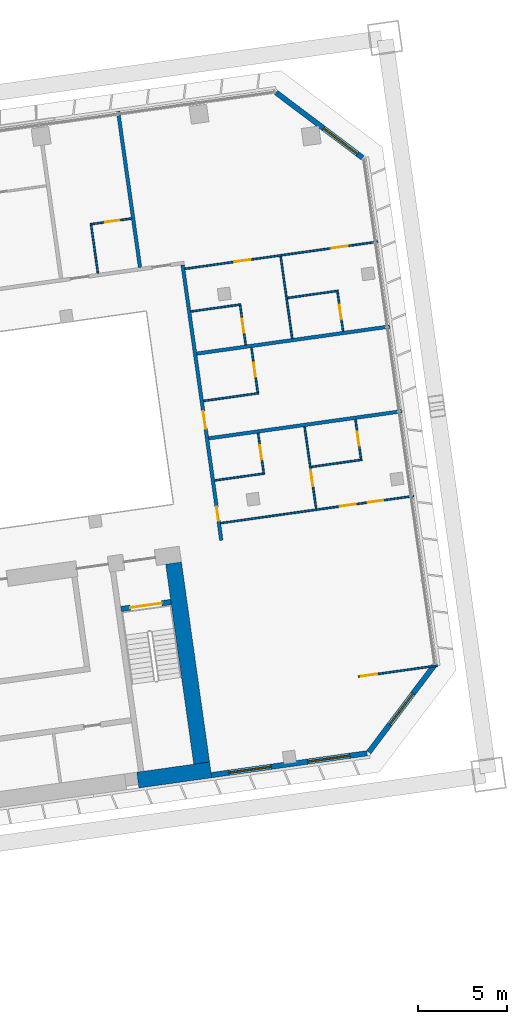
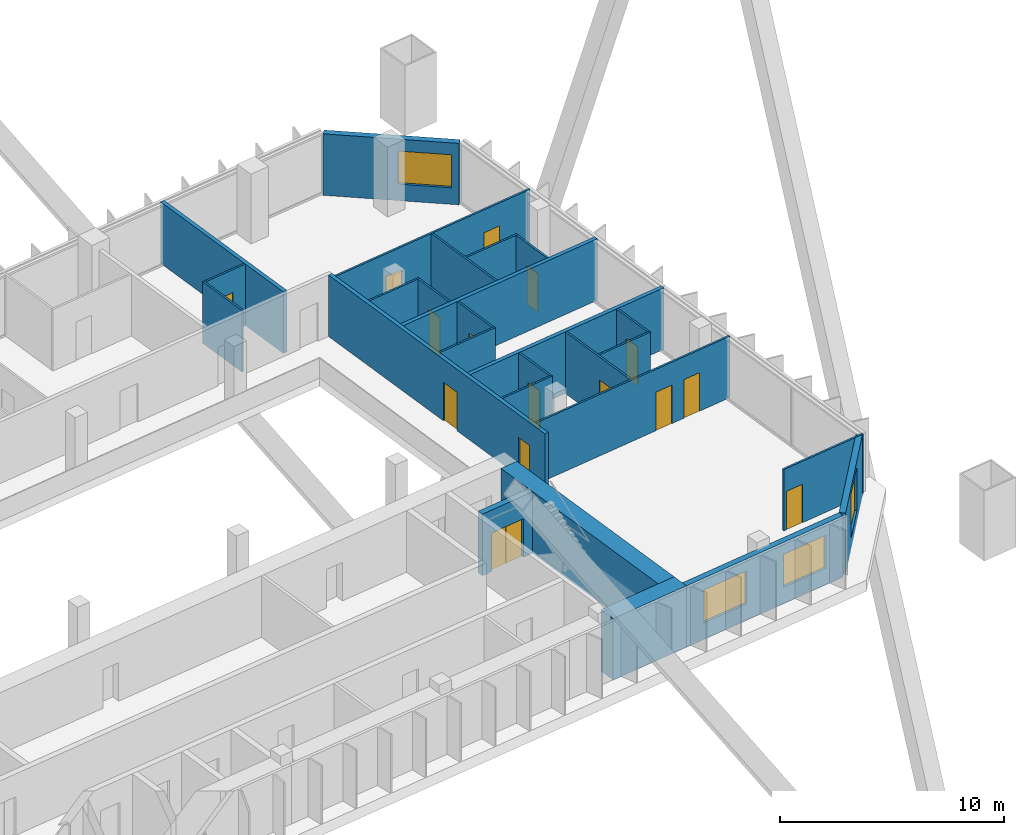
# One storey, part 46 of 49: 27 walls, 15 doors, 4 windows, 19 openings.
"""IFC4 building model written with IfcOpenShell, lengths in metres."""

import ifcopenshell
import ifcopenshell.guid

model = None  # the IFC model being written
_history = None  # IfcOwnerHistory: only IFC2X3 demands one
_inside = {}  # id of a spatial element -> (the spatial element, [elements in it])
_under = {}  # id of a project, library or spatial element -> (it, [spatial elements below it])
_declared = {}  # id of a project -> (the project, [libraries it declares])
_typed = {}  # id of a type object -> (the type object, [elements of that type])
_made_of = {}  # id of a material, layer set ... -> (it, [elements and type objects made of it])


def new_model(schema):
    """Start an empty IFC model of exactly this schema.

    Asked for "IFC4X3", IfcOpenShell would pick the latest addendum, in which some entities
    have other attributes; the version numbers below select the first issue.
    IFC2X3 requires an IfcOwnerHistory on every rooted entity: one is made here for all.
    """
    global model, _history
    if schema == "IFC4X3":
        model = ifcopenshell.file(schema_version=(4, 3, 0, 0))
    else:
        model = ifcopenshell.file(schema=schema)
    _inside.clear()
    _under.clear()
    _declared.clear()
    _typed.clear()
    _made_of.clear()
    _history = None
    if model.schema == "IFC2X3":
        org = make("IfcOrganization", Name="unknown")
        user = make(
            "IfcPersonAndOrganization",
            ThePerson=make("IfcPerson", FamilyName="unknown"),
            TheOrganization=org,
        )
        app = make(
            "IfcApplication",
            ApplicationDeveloper=org,
            Version="unknown",
            ApplicationFullName="unknown",
            ApplicationIdentifier="unknown",
        )
        _history = make(
            "IfcOwnerHistory",
            OwningUser=user,
            OwningApplication=app,
            ChangeAction="ADDED",
            CreationDate=0,
        )
    return model


def make(cls, **values):
    """One entity of the class cls with the attributes given. An attribute that is None is left unset."""
    return model.create_entity(
        cls, **{name: value for name, value in values.items() if value is not None}
    )


def rooted(cls, **values):
    """An entity with a GlobalId (a new one), such as an element, a storey or a relation."""
    return make(cls, GlobalId=ifcopenshell.guid.new(), OwnerHistory=_history, **values)


def si_unit(unit_type, name, prefix=None):
    """IfcSIUnit, for example si_unit("LENGTHUNIT", "METRE", prefix="MILLI")."""
    return make("IfcSIUnit", UnitType=unit_type, Prefix=prefix, Name=name)


def assignment(units):
    """IfcUnitAssignment: the units of a project."""
    return None if units is None else make("IfcUnitAssignment", Units=units)


def point(xyz):
    """IfcCartesianPoint."""
    return None if xyz is None else make("IfcCartesianPoint", Coordinates=xyz)


def direction(xyz):
    """IfcDirection."""
    return None if xyz is None else make("IfcDirection", DirectionRatios=xyz)


def frame(location, z_axis=None, x_axis=None):
    """IfcAxis2Placement3D, a coordinate frame: its origin and axes. An axis left out is left unset."""
    return make(
        "IfcAxis2Placement3D",
        Location=point(location),
        Axis=direction(z_axis),
        RefDirection=direction(x_axis),
    )


def frame_2d(location, x_axis=None):
    """IfcAxis2Placement2D, a coordinate frame in the plane: its origin and x axis."""
    return make(
        "IfcAxis2Placement2D", Location=point(location), RefDirection=direction(x_axis)
    )


def origin():
    """The frame at (0, 0, 0) with its axes left unset."""
    return frame((0.0, 0.0, 0.0))


def place(relative_to, where):
    """IfcLocalPlacement: puts the frame where relative to a parent placement (None: the world)."""
    return make(
        "IfcLocalPlacement", PlacementRelTo=relative_to, RelativePlacement=where
    )


def context(
    kind, dimensions, precision=None, world=None, true_north=None, identifier=None
):
    """IfcGeometricRepresentationContext, for example the 3D "Model" context."""
    return make(
        "IfcGeometricRepresentationContext",
        ContextIdentifier=identifier,
        ContextType=kind,
        CoordinateSpaceDimension=dimensions,
        Precision=precision,
        WorldCoordinateSystem=world,
        TrueNorth=true_north,
    )


def subcontext(parent, identifier, kind, view, scale=None):
    """IfcGeometricRepresentationSubContext, for example "Body" below "Model"."""
    return make(
        "IfcGeometricRepresentationSubContext",
        ContextIdentifier=identifier,
        ContextType=kind,
        ParentContext=parent,
        TargetScale=scale,
        TargetView=view,
    )


def project(units=None, contexts=None):
    """IfcProject with its units and contexts."""
    return rooted(
        "IfcProject",
        Name="project",
        RepresentationContexts=contexts,
        UnitsInContext=assignment(units),
    )


def spatial(cls, under=None, at=None, **own):
    """A site, building, storey or space (cls), placed at a placement, below another one or the project."""
    s = rooted(cls, ObjectPlacement=at, **own)
    if under is not None:
        _under.setdefault(under.id(), (under, []))[1].append(s)
    return s


def profile(cls, at=None, kind="AREA", **sizes):
    """A parametric profile (cls). Its sizes go by their IFC names, for example OverallWidth=200.0."""
    return make(cls, ProfileType=kind, Position=at, **sizes)


def rectangle(**sizes):
    """IfcRectangleProfileDef."""
    return profile("IfcRectangleProfileDef", **sizes)


def extrude(swept, where, along, depth):
    """IfcExtrudedAreaSolid: the profile swept, set in the frame where, extruded along a direction by depth."""
    return make(
        "IfcExtrudedAreaSolid",
        SweptArea=swept,
        Position=where,
        ExtrudedDirection=direction(along),
        Depth=depth,
    )


def shape(context_of_items, identifier, shape_type, items):
    """IfcShapeRepresentation: the items that make up one representation, for example the "Body"."""
    return make(
        "IfcShapeRepresentation",
        ContextOfItems=context_of_items,
        RepresentationIdentifier=identifier,
        RepresentationType=shape_type,
        Items=items,
    )


def material(Name=None, Category=None):
    """IfcMaterial."""
    return make("IfcMaterial", Name=Name, Category=Category)


def layer(
    of_material, thickness, ventilated=None, Name=None, Category=None, Priority=None
):
    """IfcMaterialLayer: one layer of a wall or slab, of a material (None: an air gap)."""
    return make(
        "IfcMaterialLayer",
        Material=of_material,
        LayerThickness=thickness,
        IsVentilated=ventilated,
        Name=Name,
        Category=Category,
        Priority=Priority,
    )


def layer_set(layers, Name=None):
    """IfcMaterialLayerSet."""
    return make("IfcMaterialLayerSet", MaterialLayers=layers, LayerSetName=Name)


def made_of(thing, what):
    """Note that an element or type object is made of a material, layer set ...; save() writes the relation."""
    if what is not None:
        _made_of.setdefault(what.id(), (what, []))[1].append(thing)
    return thing


def type_object(cls, material=None, **own):
    """A type object (cls), such as IfcWallType, which elements share."""
    return made_of(rooted(cls, **own), material)


def element(
    cls,
    number,
    at=None,
    inside=None,
    cuts=None,
    type_object=None,
    material=None,
    context=None,
    identifier="Body",
    shape_type=None,
    held_by="IfcProductDefinitionShape",
    body=None,
    shapes=None,
    **own,
):
    """One element of the class cls, such as IfcWall. Its Tag is "e" and its number.

    at: its placement. inside: the storey or other place that contains it. cuts: it is an
    opening in that element (IfcRelVoidsElement). A single representation is given by context,
    identifier, shape_type and body (its items); several are given by shapes. held_by: the class
    of the entity that holds the representations. save() writes the other relations.
    """
    e = rooted(cls, Tag="e%d" % number, ObjectPlacement=at, **own)
    if body is not None:
        shapes = [shape(context, identifier, shape_type, body)]
    if shapes is not None:
        e.Representation = make(held_by, Representations=shapes)
    if inside is not None:
        _inside.setdefault(inside.id(), (inside, []))[1].append(e)
    if cuts is not None:
        rooted(
            "IfcRelVoidsElement", RelatingBuildingElement=cuts, RelatedOpeningElement=e
        )
    if type_object is not None:
        _typed.setdefault(type_object.id(), (type_object, []))[1].append(e)
    return made_of(e, material)


def fill(opening, filler):
    """IfcRelFillsElement: the door or window that sits in an opening."""
    return rooted(
        "IfcRelFillsElement",
        RelatingOpeningElement=opening,
        RelatedBuildingElement=filler,
    )


def aggregate(whole, parts):
    """IfcRelAggregates: a whole, such as a stair, and the parts it consists of."""
    return rooted("IfcRelAggregates", RelatingObject=whole, RelatedObjects=parts)


def save(model, path):
    """Write the relations noted so far, then the file.

    IfcRelAggregates (storeys below a building ...), IfcRelContainedInSpatialStructure (elements
    in a storey), IfcRelDefinesByType, IfcRelAssociatesMaterial and IfcRelDeclares: one each for
    every whole, place, type object, material and project.
    """
    for whole, parts in _under.values():
        aggregate(whole, parts)
    for where, things in _inside.values():
        rooted(
            "IfcRelContainedInSpatialStructure",
            RelatedElements=things,
            RelatingStructure=where,
        )
    for kind, things in _typed.values():
        rooted("IfcRelDefinesByType", RelatedObjects=things, RelatingType=kind)
    for what, things in _made_of.values():
        rooted("IfcRelAssociatesMaterial", RelatedObjects=things, RelatingMaterial=what)
    for by, libraries in _declared.values():
        rooted("IfcRelDeclares", RelatingContext=by, RelatedDefinitions=libraries)
    model.write(path)


model = new_model("IFC4")

# Units and contexts
model_context = context("Model", 3, precision=1e-05, world=origin(), true_north=direction((0.0, 1.0)))
body_context = subcontext(model_context, "Body", "Model", "MODEL_VIEW")
ifc_project = project(units=[si_unit("LENGTHUNIT", "METRE"), si_unit("AREAUNIT", "SQUARE_METRE"), si_unit("VOLUMEUNIT", "CUBIC_METRE"), si_unit("PLANEANGLEUNIT", "RADIAN"), si_unit("MASSUNIT", "GRAM", prefix="KILO")], contexts=[model_context])

# Site, building, storey
site_placement = place(None, origin())
site = spatial("IfcSite", under=ifc_project, at=site_placement, CompositionType="ELEMENT")
building_placement = place(site_placement, origin())
building = spatial("IfcBuilding", under=site, at=building_placement, Name="Mirante Cascada Hotel Towers", CompositionType="ELEMENT")
storey_placement = place(building_placement, frame((0.0, 0.0, 66.1)))
storey = spatial("IfcBuildingStorey", under=building, at=storey_placement, Name="L13", CompositionType="ELEMENT", Elevation=66.1)

# Walls
ifc_material_1 = material(Name="Fire-rated plasterboard on metal studs")
ifc_layer_1 = layer(ifc_material_1, 0.2)
ifc_layer_set_1 = layer_set([ifc_layer_1], Name="Compartment wall 200 EI 120")
wall_type_1 = type_object("IfcWallType", Name="Compartment wall 200 EI 120", PredefinedType="PARTITIONING", material=ifc_layer_set_1)
for number, where, z_axis, x_axis, name in (
    (1, (90.4064, 6.4896, 0.0), (0.0, 0.0, 1.0), (0.990268, 0.1391733, 0.0), "Wall 2-L13-08"),
    (2, (100.6266, 12.8067, 0.0), (0.0, 0.0, 1.0), (-0.990268, -0.1391733, 0.0), "Wall 2-L13-13"),
):
    element("IfcWall", number, at=place(storey_placement, frame(where, z_axis=z_axis, x_axis=x_axis)), inside=storey, type_object=wall_type_1, Name=name, PredefinedType="PARTITIONING", context=body_context, shape_type="SweptSolid", body=[
        extrude(rectangle(XDim=11.0, YDim=0.2, at=frame_2d((5.5, 0.0))), origin(), (0.0, 0.0, 1.0), 3.35),
    ])
wall_1_placement = place(storey_placement, frame((86.525, 16.1433, 0.0), z_axis=(0.0, 0.0, 1.0), x_axis=(-0.1391684, 0.9902687, 0.0)))
element("IfcWall", 3, at=wall_1_placement, inside=storey, type_object=wall_type_1, Name="Wall 2-L13-54", PredefinedType="PARTITIONING", context=body_context, shape_type="SweptSolid", body=[
    extrude(rectangle(XDim=8.9, YDim=0.2, at=frame_2d((4.45, 0.0))), origin(), (0.0, 0.0, 1.0), 3.35),
])

# Wall, openings, doors
wall_2_placement = place(storey_placement, frame((88.9295, 16.2793, 0.0), z_axis=(0.0, 0.0, 1.0), x_axis=(0.1391721, -0.9902682, 0.0)))
wall_2 = element("IfcWall", 4, at=wall_2_placement, inside=storey, type_object=wall_type_1, Name="Wall 2-L13-55", PredefinedType="PARTITIONING", context=body_context, shape_type="SweptSolid", body=[
    extrude(rectangle(XDim=15.7, YDim=0.2, at=frame_2d((7.85, 0.0))), origin(), (0.0, 0.0, 1.0), 3.35),
])
opening_1_placement = place(wall_2_placement, frame((13.7833, 0.0, 0.0)))
opening_1 = element("IfcOpeningElement", 5, at=opening_1_placement, cuts=wall_2, Name="Opening D2-L13-38", PredefinedType="OPENING", context=body_context, shape_type="SweptSolid", body=[
    extrude(rectangle(XDim=0.8, YDim=2.1, at=frame_2d((0.4, 1.05))), frame((0.0, 0.1, 0.0), z_axis=(0.0, -1.0, 0.0), x_axis=(1.0, 0.0, 0.0)), (0.0, 0.0, 1.0), 0.2),
])
opening_2_placement = place(wall_2_placement, frame((8.3333, 0.0, 0.0)))
opening_2 = element("IfcOpeningElement", 6, at=opening_2_placement, cuts=wall_2, Name="Opening D2-L13-39", PredefinedType="OPENING", context=body_context, shape_type="SweptSolid", body=[
    extrude(rectangle(XDim=1.0, YDim=2.1, at=frame_2d((0.5, 1.05))), frame((0.0, 0.1, 0.0), z_axis=(0.0, -1.0, 0.0), x_axis=(1.0, 0.0, 0.0)), (0.0, 0.0, 1.0), 0.2),
])
ifc_material_2 = material(Name="Fire-rated timber door leaf", Category="wood")
door_type_1 = type_object("IfcDoorType", Name="Bathroom door DG4 800x2100 EI 60", OperationType="SINGLE_SWING_LEFT", PredefinedType="DOOR", material=ifc_material_2)
door_1_placement = place(opening_1_placement, frame((0.8, 0.0, 0.0), z_axis=(0.0, 0.0, 1.0), x_axis=(-1.0, 0.0, 0.0)))
door_1 = element("IfcDoor", 7, at=door_1_placement, inside=storey, type_object=door_type_1, Name="Door D2-L13-38", OperationType="SINGLE_SWING_RIGHT", OverallHeight=2.1, OverallWidth=0.8, PredefinedType="DOOR", context=body_context, shape_type="SweptSolid", body=[
    extrude(rectangle(XDim=0.8, YDim=2.1, at=frame_2d((0.4, 1.05))), frame((0.0, 0.025, 0.0), z_axis=(0.0, -1.0, 0.0), x_axis=(1.0, 0.0, 0.0)), (0.0, 0.0, 1.0), 0.05),
])
fill(opening_1, door_1)
ifc_material_3 = material(Name="Fire-rated timber door leaf", Category="wood")
door_type_2 = type_object("IfcDoorType", Name="Entrance door DG1 1000x2100 EI 60", OperationType="SINGLE_SWING_LEFT", PredefinedType="DOOR", material=ifc_material_3)
door_2_placement = place(opening_2_placement, origin())
door_2 = element("IfcDoor", 8, at=door_2_placement, inside=storey, type_object=door_type_2, Name="Door D2-L13-39", OperationType="SINGLE_SWING_LEFT", OverallHeight=2.1, OverallWidth=1.0, PredefinedType="DOOR", context=body_context, shape_type="SweptSolid", body=[
    extrude(rectangle(XDim=1.0, YDim=2.1, at=frame_2d((0.5, 1.05))), frame((0.0, 0.025, 0.0), z_axis=(0.0, -1.0, 0.0), x_axis=(1.0, 0.0, 0.0)), (0.0, 0.0, 1.0), 0.05),
])
fill(opening_2, door_2)

# Wall, opening, door
ifc_material_4 = material(Name="Plasterboard on metal studs")
ifc_layer_2 = layer(ifc_material_4, 0.1)
ifc_layer_set_2 = layer_set([ifc_layer_2], Name="Partition 100")
wall_type_2 = type_object("IfcWallType", Name="Partition 100", PredefinedType="PARTITIONING", material=ifc_layer_set_2)
wall_3_placement = place(storey_placement, frame((98.8611, -6.9647, 0.0), z_axis=(0.0, 0.0, 1.0), x_axis=(0.9902674, 0.1391779, 0.0)))
wall_3 = element("IfcWall", 9, at=wall_3_placement, inside=storey, type_object=wall_type_2, Name="Wall 2-L13-02", PredefinedType="PARTITIONING", context=body_context, shape_type="SweptSolid", body=[
    extrude(rectangle(XDim=4.5, YDim=0.1, at=frame_2d((2.25, 0.0))), origin(), (0.0, 0.0, 1.0), 3.35),
])
opening_3_placement = place(wall_3_placement, frame((0.15, 0.0, 0.0)))
opening_3 = element("IfcOpeningElement", 10, at=opening_3_placement, cuts=wall_3, Name="Opening D2-L13-02", PredefinedType="OPENING", context=body_context, shape_type="SweptSolid", body=[
    extrude(rectangle(XDim=0.9, YDim=2.1, at=frame_2d((0.45, 1.05))), frame((0.0, 0.05, 0.0), z_axis=(0.0, -1.0, 0.0), x_axis=(1.0, 0.0, 0.0)), (0.0, 0.0, 1.0), 0.1),
])
ifc_material_5 = material(Name="Timber door leaf", Category="wood")
door_type_3 = type_object("IfcDoorType", Name="Room door DG3 900x2100", OperationType="SINGLE_SWING_LEFT", PredefinedType="DOOR", material=ifc_material_5)
door_3_placement = place(opening_3_placement, origin())
door_3 = element("IfcDoor", 11, at=door_3_placement, inside=storey, type_object=door_type_3, Name="Door D2-L13-02", OperationType="SINGLE_SWING_LEFT", OverallHeight=2.1, OverallWidth=0.9, PredefinedType="DOOR", context=body_context, shape_type="SweptSolid", body=[
    extrude(rectangle(XDim=0.9, YDim=2.1, at=frame_2d((0.45, 1.05))), frame((0.0, 0.025, 0.0), z_axis=(0.0, -1.0, 0.0), x_axis=(1.0, 0.0, 0.0)), (0.0, 0.0, 1.0), 0.05),
])
fill(opening_3, door_3)

# Wall, openings, doors
wall_4_placement = place(storey_placement, frame((101.972, 3.2342, 0.0), z_axis=(0.0, 0.0, 1.0), x_axis=(-0.9902682, -0.1391721, 0.0)))
wall_4 = element("IfcWall", 12, at=wall_4_placement, inside=storey, type_object=wall_type_2, Name="Wall 2-L13-03", PredefinedType="PARTITIONING", context=body_context, shape_type="SweptSolid", body=[
    extrude(rectangle(XDim=11.0001, YDim=0.1, at=frame_2d((5.5, 0.0))), origin(), (0.0, 0.0, 1.0), 3.35),
])
opening_4_placement = place(wall_4_placement, frame((3.3, 0.0, 0.0)))
opening_4 = element("IfcOpeningElement", 13, at=opening_4_placement, cuts=wall_4, Name="Opening D2-L13-03", PredefinedType="OPENING", context=body_context, shape_type="SweptSolid", body=[
    extrude(rectangle(XDim=0.9, YDim=2.1, at=frame_2d((0.45, 1.05))), frame((0.0, 0.05, 0.0), z_axis=(0.0, -1.0, 0.0), x_axis=(1.0, 0.0, 0.0)), (0.0, 0.0, 1.0), 0.1),
])
opening_5_placement = place(wall_4_placement, frame((1.725, 0.0, 0.0)))
opening_5 = element("IfcOpeningElement", 14, at=opening_5_placement, cuts=wall_4, Name="Opening D2-L13-04", PredefinedType="OPENING", context=body_context, shape_type="SweptSolid", body=[
    extrude(rectangle(XDim=0.9, YDim=2.1, at=frame_2d((0.45, 1.05))), frame((0.0, 0.05, 0.0), z_axis=(0.0, -1.0, 0.0), x_axis=(1.0, 0.0, 0.0)), (0.0, 0.0, 1.0), 0.1),
])
door_4_placement = place(opening_4_placement, origin())
door_4 = element("IfcDoor", 15, at=door_4_placement, inside=storey, type_object=door_type_3, Name="Door D2-L13-03", OperationType="SINGLE_SWING_LEFT", OverallHeight=2.1, OverallWidth=0.9, PredefinedType="DOOR", context=body_context, shape_type="SweptSolid", body=[
    extrude(rectangle(XDim=0.9, YDim=2.1, at=frame_2d((0.45, 1.05))), frame((0.0, 0.025, 0.0), z_axis=(0.0, -1.0, 0.0), x_axis=(1.0, 0.0, 0.0)), (0.0, 0.0, 1.0), 0.05),
])
fill(opening_4, door_4)
door_5_placement = place(opening_5_placement, origin())
door_5 = element("IfcDoor", 16, at=door_5_placement, inside=storey, type_object=door_type_3, Name="Door D2-L13-04", OperationType="SINGLE_SWING_LEFT", OverallHeight=2.1, OverallWidth=0.9, PredefinedType="DOOR", context=body_context, shape_type="SweptSolid", body=[
    extrude(rectangle(XDim=0.9, YDim=2.1, at=frame_2d((0.45, 1.05))), frame((0.0, 0.025, 0.0), z_axis=(0.0, -1.0, 0.0), x_axis=(1.0, 0.0, 0.0)), (0.0, 0.0, 1.0), 0.05),
])
fill(opening_5, door_5)

# Walls
wall_5_placement = place(storey_placement, frame((93.5626, 4.5096, 0.0), z_axis=(0.0, 0.0, 1.0), x_axis=(-0.9902649, -0.1391957, 0.0)))
element("IfcWall", 17, at=wall_5_placement, inside=storey, type_object=wall_type_2, Name="Wall 2-L13-05", PredefinedType="PARTITIONING", context=body_context, shape_type="SweptSolid", body=[
    extrude(rectangle(XDim=2.8499, YDim=0.1, at=frame_2d((1.425, 0.0))), origin(), (0.0, 0.0, 1.0), 3.35),
])
wall_6_placement = place(storey_placement, frame((96.1868, 4.8784, 0.0), z_axis=(0.0, 0.0, 1.0), x_axis=(0.9902683, 0.1391714, 0.0)))
element("IfcWall", 18, at=wall_6_placement, inside=storey, type_object=wall_type_2, Name="Wall 2-L13-06", PredefinedType="PARTITIONING", context=body_context, shape_type="SweptSolid", body=[
    extrude(rectangle(XDim=2.9, YDim=0.1, at=frame_2d((1.45, 0.0))), origin(), (0.0, 0.0, 1.0), 3.35),
])
wall_7_placement = place(storey_placement, frame((93.2288, 9.0405, 0.0), z_axis=(0.0, 0.0, 1.0), x_axis=(-0.9902676, -0.1391765, 0.0)))
element("IfcWall", 19, at=wall_7_placement, inside=storey, type_object=wall_type_2, Name="Wall 2-L13-09", PredefinedType="PARTITIONING", context=body_context, shape_type="SweptSolid", body=[
    extrude(rectangle(XDim=3.15, YDim=0.1, at=frame_2d((1.575, 0.0))), origin(), (0.0, 0.0, 1.0), 3.35),
])
wall_8_placement = place(storey_placement, frame((89.3997, 13.6525, 0.0), z_axis=(0.0, 0.0, 1.0), x_axis=(0.9902697, 0.1391613, 0.0)))
element("IfcWall", 20, at=wall_8_placement, inside=storey, type_object=wall_type_2, Name="Wall 2-L13-16", PredefinedType="PARTITIONING", context=body_context, shape_type="SweptSolid", body=[
    extrude(rectangle(XDim=2.8499, YDim=0.1, at=frame_2d((1.425, 0.0))), origin(), (0.0, 0.0, 1.0), 3.35),
])
wall_9_placement = place(storey_placement, frame((97.7179, 14.8215, 0.0), z_axis=(0.0, 0.0, 1.0), x_axis=(-0.9902683, -0.1391714, 0.0)))
element("IfcWall", 21, at=wall_9_placement, inside=storey, type_object=wall_type_2, Name="Wall 2-L13-17", PredefinedType="PARTITIONING", context=body_context, shape_type="SweptSolid", body=[
    extrude(rectangle(XDim=2.9, YDim=0.1, at=frame_2d((1.45, 0.0))), origin(), (0.0, 0.0, 1.0), 3.35),
])

# Wall, openings, doors
wall_10_placement = place(storey_placement, frame((99.954, 17.5931, 0.0), z_axis=(0.0, 0.0, 1.0), x_axis=(-0.9902682, -0.1391721, 0.0)))
wall_10 = element("IfcWall", 22, at=wall_10_placement, inside=storey, type_object=wall_type_2, Name="Wall 2-L13-19", PredefinedType="PARTITIONING", context=body_context, shape_type="SweptSolid", body=[
    extrude(rectangle(XDim=11.0001, YDim=0.1, at=frame_2d((5.5, 0.0))), origin(), (0.0, 0.0, 1.0), 3.35),
])
opening_6_placement = place(wall_10_placement, frame((7.275, 0.0, 0.0)))
opening_6 = element("IfcOpeningElement", 23, at=opening_6_placement, cuts=wall_10, Name="Opening D2-L13-10", PredefinedType="OPENING", context=body_context, shape_type="SweptSolid", body=[
    extrude(rectangle(XDim=0.9, YDim=2.1, at=frame_2d((0.45, 1.05))), frame((0.0, 0.05, 0.0), z_axis=(0.0, -1.0, 0.0), x_axis=(1.0, 0.0, 0.0)), (0.0, 0.0, 1.0), 0.1),
])
opening_7_placement = place(wall_10_placement, frame((1.725, 0.0, 0.0)))
opening_7 = element("IfcOpeningElement", 24, at=opening_7_placement, cuts=wall_10, Name="Opening D2-L13-11", PredefinedType="OPENING", context=body_context, shape_type="SweptSolid", body=[
    extrude(rectangle(XDim=0.9, YDim=2.1, at=frame_2d((0.45, 1.05))), frame((0.0, 0.05, 0.0), z_axis=(0.0, -1.0, 0.0), x_axis=(1.0, 0.0, 0.0)), (0.0, 0.0, 1.0), 0.1),
])
door_6_placement = place(opening_6_placement, frame((0.9, 0.0, 0.0), z_axis=(0.0, 0.0, 1.0), x_axis=(-1.0, 0.0, 0.0)))
door_6 = element("IfcDoor", 25, at=door_6_placement, inside=storey, type_object=door_type_3, Name="Door D2-L13-10", OperationType="SINGLE_SWING_RIGHT", OverallHeight=2.1, OverallWidth=0.9, PredefinedType="DOOR", context=body_context, shape_type="SweptSolid", body=[
    extrude(rectangle(XDim=0.9, YDim=2.1, at=frame_2d((0.45, 1.05))), frame((0.0, 0.025, 0.0), z_axis=(0.0, -1.0, 0.0), x_axis=(1.0, 0.0, 0.0)), (0.0, 0.0, 1.0), 0.05),
])
fill(opening_6, door_6)
door_7_placement = place(opening_7_placement, frame((0.9, 0.0, 0.0), z_axis=(0.0, 0.0, 1.0), x_axis=(-1.0, 0.0, 0.0)))
door_7 = element("IfcDoor", 26, at=door_7_placement, inside=storey, type_object=door_type_3, Name="Door D2-L13-11", OperationType="SINGLE_SWING_RIGHT", OverallHeight=2.1, OverallWidth=0.9, PredefinedType="DOOR", context=body_context, shape_type="SweptSolid", body=[
    extrude(rectangle(XDim=0.9, YDim=2.1, at=frame_2d((0.45, 1.05))), frame((0.0, 0.025, 0.0), z_axis=(0.0, -1.0, 0.0), x_axis=(1.0, 0.0, 0.0)), (0.0, 0.0, 1.0), 0.05),
])
fill(opening_7, door_7)

# Wall, opening, door
wall_11_placement = place(storey_placement, frame((83.8082, 18.589, 0.0), z_axis=(0.0, 0.0, 1.0), x_axis=(0.9902643, 0.1391997, 0.0)))
wall_11 = element("IfcWall", 27, at=wall_11_placement, inside=storey, type_object=wall_type_2, Name="Wall 2-L13-24", PredefinedType="PARTITIONING", context=body_context, shape_type="SweptSolid", body=[
    extrude(rectangle(XDim=2.25, YDim=0.1, at=frame_2d((1.125, 0.0))), origin(), (0.0, 0.0, 1.0), 3.35),
])
opening_8_placement = place(wall_11_placement, frame((0.75, 0.0, 0.0)))
opening_8 = element("IfcOpeningElement", 28, at=opening_8_placement, cuts=wall_11, Name="Opening D2-L13-25", PredefinedType="OPENING", context=body_context, shape_type="SweptSolid", body=[
    extrude(rectangle(XDim=0.8, YDim=2.1, at=frame_2d((0.4, 1.05))), frame((0.0, 0.05, 0.0), z_axis=(0.0, -1.0, 0.0), x_axis=(1.0, 0.0, 0.0)), (0.0, 0.0, 1.0), 0.1),
])
ifc_material_6 = material(Name="Timber door leaf", Category="wood")
door_type_4 = type_object("IfcDoorType", Name="Bathroom door DG4 800x2100", OperationType="SINGLE_SWING_LEFT", PredefinedType="DOOR", material=ifc_material_6)
door_8_placement = place(opening_8_placement, origin())
door_8 = element("IfcDoor", 29, at=door_8_placement, inside=storey, type_object=door_type_4, Name="Door D2-L13-25", OperationType="SINGLE_SWING_LEFT", OverallHeight=2.1, OverallWidth=0.8, PredefinedType="DOOR", context=body_context, shape_type="SweptSolid", body=[
    extrude(rectangle(XDim=0.8, YDim=2.1, at=frame_2d((0.4, 1.05))), frame((0.0, 0.025, 0.0), z_axis=(0.0, -1.0, 0.0), x_axis=(1.0, 0.0, 0.0)), (0.0, 0.0, 1.0), 0.05),
])
fill(opening_8, door_8)

# Wall
wall_12_placement = place(storey_placement, frame((83.7517, 18.6316, 0.0), z_axis=(0.0, 0.0, 1.0), x_axis=(0.1391909, -0.9902656, 0.0)))
element("IfcWall", 30, at=wall_12_placement, inside=storey, type_object=wall_type_2, Name="Wall 2-L13-53", PredefinedType="PARTITIONING", context=body_context, shape_type="SweptSolid", body=[
    extrude(rectangle(XDim=2.85, YDim=0.1, at=frame_2d((1.425, 0.0))), origin(), (0.0, 0.0, 1.0), 3.35),
])

# Wall, opening, door
wall_13_placement = place(storey_placement, frame((93.5062, 4.5521, 0.0), z_axis=(0.0, 0.0, 1.0), x_axis=(-0.1391997, 0.9902643, 0.0)))
wall_13 = element("IfcWall", 31, at=wall_13_placement, inside=storey, type_object=wall_type_2, Name="Wall 2-L13-56", PredefinedType="PARTITIONING", context=body_context, shape_type="SweptSolid", body=[
    extrude(rectangle(XDim=2.25, YDim=0.1, at=frame_2d((1.125, 0.0))), origin(), (0.0, 0.0, 1.0), 3.35),
])
opening_9_placement = place(wall_13_placement, frame((0.75, 0.0, 0.0)))
opening_9 = element("IfcOpeningElement", 32, at=opening_9_placement, cuts=wall_13, Name="Opening D2-L13-40", PredefinedType="OPENING", context=body_context, shape_type="SweptSolid", body=[
    extrude(rectangle(XDim=0.8, YDim=2.1, at=frame_2d((0.4, 1.05))), frame((0.0, 0.05, 0.0), z_axis=(0.0, -1.0, 0.0), x_axis=(1.0, 0.0, 0.0)), (0.0, 0.0, 1.0), 0.1),
])
door_9_placement = place(opening_9_placement, origin())
door_9 = element("IfcDoor", 33, at=door_9_placement, inside=storey, type_object=door_type_4, Name="Door D2-L13-40", OperationType="SINGLE_SWING_LEFT", OverallHeight=2.1, OverallWidth=0.8, PredefinedType="DOOR", context=body_context, shape_type="SweptSolid", body=[
    extrude(rectangle(XDim=0.8, YDim=2.1, at=frame_2d((0.4, 1.05))), frame((0.0, 0.025, 0.0), z_axis=(0.0, -1.0, 0.0), x_axis=(1.0, 0.0, 0.0)), (0.0, 0.0, 1.0), 0.05),
])
fill(opening_9, door_9)

wall_14_placement = place(storey_placement, frame((92.1794, 13.9926, 0.0), z_axis=(0.0, 0.0, 1.0), x_axis=(0.1391561, -0.9902705, 0.0)))
wall_14 = element("IfcWall", 34, at=wall_14_placement, inside=storey, type_object=wall_type_2, Name="Wall 2-L13-57", PredefinedType="PARTITIONING", context=body_context, shape_type="SweptSolid", body=[
    extrude(rectangle(XDim=2.25, YDim=0.1, at=frame_2d((1.125, 0.0))), origin(), (0.0, 0.0, 1.0), 3.35),
])
opening_10_placement = place(wall_14_placement, frame((0.75, 0.0, 0.0)))
opening_10 = element("IfcOpeningElement", 35, at=opening_10_placement, cuts=wall_14, Name="Opening D2-L13-41", PredefinedType="OPENING", context=body_context, shape_type="SweptSolid", body=[
    extrude(rectangle(XDim=0.8, YDim=2.1, at=frame_2d((0.4, 1.05))), frame((0.0, 0.05, 0.0), z_axis=(0.0, -1.0, 0.0), x_axis=(1.0, 0.0, 0.0)), (0.0, 0.0, 1.0), 0.1),
])
door_10_placement = place(opening_10_placement, frame((0.8, 0.0, 0.0), z_axis=(0.0, 0.0, 1.0), x_axis=(-1.0, 0.0, 0.0)))
door_10 = element("IfcDoor", 36, at=door_10_placement, inside=storey, type_object=door_type_4, Name="Door D2-L13-41", OperationType="SINGLE_SWING_RIGHT", OverallHeight=2.1, OverallWidth=0.8, PredefinedType="DOOR", context=body_context, shape_type="SweptSolid", body=[
    extrude(rectangle(XDim=0.8, YDim=2.1, at=frame_2d((0.4, 1.05))), frame((0.0, 0.025, 0.0), z_axis=(0.0, -1.0, 0.0), x_axis=(1.0, 0.0, 0.0)), (0.0, 0.0, 1.0), 0.05),
])
fill(opening_10, door_10)

wall_15_placement = place(storey_placement, frame((93.1723, 9.083, 0.0), z_axis=(0.0, 0.0, 1.0), x_axis=(-0.1391755, 0.9902677, 0.0)))
wall_15 = element("IfcWall", 37, at=wall_15_placement, inside=storey, type_object=wall_type_2, Name="Wall 2-L13-58", PredefinedType="PARTITIONING", context=body_context, shape_type="SweptSolid", body=[
    extrude(rectangle(XDim=2.55, YDim=0.1, at=frame_2d((1.275, 0.0))), origin(), (0.0, 0.0, 1.0), 3.35),
])
opening_11_placement = place(wall_15_placement, frame((0.9, 0.0, 0.0)))
opening_11 = element("IfcOpeningElement", 38, at=opening_11_placement, cuts=wall_15, Name="Opening D2-L13-42", PredefinedType="OPENING", context=body_context, shape_type="SweptSolid", body=[
    extrude(rectangle(XDim=0.8, YDim=2.1, at=frame_2d((0.4, 1.05))), frame((0.0, 0.05, 0.0), z_axis=(0.0, -1.0, 0.0), x_axis=(1.0, 0.0, 0.0)), (0.0, 0.0, 1.0), 0.1),
])
door_11_placement = place(opening_11_placement, frame((0.8, 0.0, 0.0), z_axis=(0.0, 0.0, 1.0), x_axis=(-1.0, 0.0, 0.0)))
door_11 = element("IfcDoor", 39, at=door_11_placement, inside=storey, type_object=door_type_4, Name="Door D2-L13-42", OperationType="SINGLE_SWING_RIGHT", OverallHeight=2.1, OverallWidth=0.8, PredefinedType="DOOR", context=body_context, shape_type="SweptSolid", body=[
    extrude(rectangle(XDim=0.8, YDim=2.1, at=frame_2d((0.4, 1.05))), frame((0.0, 0.025, 0.0), z_axis=(0.0, -1.0, 0.0), x_axis=(1.0, 0.0, 0.0)), (0.0, 0.0, 1.0), 0.05),
])
fill(opening_11, door_11)

wall_16_placement = place(storey_placement, frame((95.8172, 7.149, 0.0), z_axis=(0.0, 0.0, 1.0), x_axis=(0.139176, -0.9902677, 0.0)))
wall_16 = element("IfcWall", 40, at=wall_16_placement, inside=storey, type_object=wall_type_2, Name="Wall 2-L13-59", PredefinedType="PARTITIONING", context=body_context, shape_type="SweptSolid", body=[
    extrude(rectangle(XDim=4.6833, YDim=0.1, at=frame_2d((2.3416, 0.0))), origin(), (0.0, 0.0, 1.0), 3.35),
])
opening_12_placement = place(wall_16_placement, frame((2.4833, 0.0, 0.0)))
opening_12 = element("IfcOpeningElement", 41, at=opening_12_placement, cuts=wall_16, Name="Opening D2-L13-43", PredefinedType="OPENING", context=body_context, shape_type="SweptSolid", body=[
    extrude(rectangle(XDim=0.9, YDim=2.1, at=frame_2d((0.45, 1.05))), frame((0.0, 0.05, 0.0), z_axis=(0.0, -1.0, 0.0), x_axis=(1.0, 0.0, 0.0)), (0.0, 0.0, 1.0), 0.1),
])
door_12_placement = place(opening_12_placement, frame((0.9, 0.0, 0.0), z_axis=(0.0, 0.0, 1.0), x_axis=(-1.0, 0.0, 0.0)))
door_12 = element("IfcDoor", 42, at=door_12_placement, inside=storey, type_object=door_type_3, Name="Door D2-L13-43", OperationType="SINGLE_SWING_RIGHT", OverallHeight=2.1, OverallWidth=0.9, PredefinedType="DOOR", context=body_context, shape_type="SweptSolid", body=[
    extrude(rectangle(XDim=0.9, YDim=2.1, at=frame_2d((0.45, 1.05))), frame((0.0, 0.025, 0.0), z_axis=(0.0, -1.0, 0.0), x_axis=(1.0, 0.0, 0.0)), (0.0, 0.0, 1.0), 0.05),
])
fill(opening_12, door_12)

# Wall
wall_17_placement = place(storey_placement, frame((95.1167, 12.1333, 0.0), z_axis=(0.0, 0.0, 1.0), x_axis=(-0.1391701, 0.9902685, 0.0)))
element("IfcWall", 43, at=wall_17_placement, inside=storey, type_object=wall_type_2, Name="Wall 2-L13-60", PredefinedType="PARTITIONING", context=body_context, shape_type="SweptSolid", body=[
    extrude(rectangle(XDim=4.6835, YDim=0.1, at=frame_2d((2.3418, 0.0))), origin(), (0.0, 0.0, 1.0), 3.35),
])

# Wall, opening, door
wall_18_placement = place(storey_placement, frame((98.689, 7.5526, 0.0), z_axis=(0.0, 0.0, 1.0), x_axis=(0.1391561, -0.9902705, 0.0)))
wall_18 = element("IfcWall", 44, at=wall_18_placement, inside=storey, type_object=wall_type_2, Name="Wall 2-L13-61", PredefinedType="PARTITIONING", context=body_context, shape_type="SweptSolid", body=[
    extrude(rectangle(XDim=2.25, YDim=0.1, at=frame_2d((1.125, 0.0))), origin(), (0.0, 0.0, 1.0), 3.35),
])
opening_13_placement = place(wall_18_placement, frame((0.7, 0.0, 0.0)))
opening_13 = element("IfcOpeningElement", 45, at=opening_13_placement, cuts=wall_18, Name="Opening D2-L13-44", PredefinedType="OPENING", context=body_context, shape_type="SweptSolid", body=[
    extrude(rectangle(XDim=0.8, YDim=2.1, at=frame_2d((0.4, 1.05))), frame((0.0, 0.05, 0.0), z_axis=(0.0, -1.0, 0.0), x_axis=(1.0, 0.0, 0.0)), (0.0, 0.0, 1.0), 0.1),
])
door_13_placement = place(opening_13_placement, frame((0.8, 0.0, 0.0), z_axis=(0.0, 0.0, 1.0), x_axis=(-1.0, 0.0, 0.0)))
door_13 = element("IfcDoor", 46, at=door_13_placement, inside=storey, type_object=door_type_4, Name="Door D2-L13-44", OperationType="SINGLE_SWING_RIGHT", OverallHeight=2.1, OverallWidth=0.8, PredefinedType="DOOR", context=body_context, shape_type="SweptSolid", body=[
    extrude(rectangle(XDim=0.8, YDim=2.1, at=frame_2d((0.4, 1.05))), frame((0.0, 0.025, 0.0), z_axis=(0.0, -1.0, 0.0), x_axis=(1.0, 0.0, 0.0)), (0.0, 0.0, 1.0), 0.05),
])
fill(opening_13, door_13)

wall_19_placement = place(storey_placement, frame((97.9885, 12.5369, 0.0), z_axis=(0.0, 0.0, 1.0), x_axis=(-0.1391561, 0.9902705, 0.0)))
wall_19 = element("IfcWall", 47, at=wall_19_placement, inside=storey, type_object=wall_type_2, Name="Wall 2-L13-62", PredefinedType="PARTITIONING", context=body_context, shape_type="SweptSolid", body=[
    extrude(rectangle(XDim=2.25, YDim=0.1, at=frame_2d((1.125, 0.0))), origin(), (0.0, 0.0, 1.0), 3.35),
])
opening_14_placement = place(wall_19_placement, frame((0.7, 0.0, 0.0)))
opening_14 = element("IfcOpeningElement", 48, at=opening_14_placement, cuts=wall_19, Name="Opening D2-L13-45", PredefinedType="OPENING", context=body_context, shape_type="SweptSolid", body=[
    extrude(rectangle(XDim=0.8, YDim=2.1, at=frame_2d((0.4, 1.05))), frame((0.0, 0.05, 0.0), z_axis=(0.0, -1.0, 0.0), x_axis=(1.0, 0.0, 0.0)), (0.0, 0.0, 1.0), 0.1),
])
door_14_placement = place(opening_14_placement, origin())
door_14 = element("IfcDoor", 49, at=door_14_placement, inside=storey, type_object=door_type_4, Name="Door D2-L13-45", OperationType="SINGLE_SWING_LEFT", OverallHeight=2.1, OverallWidth=0.8, PredefinedType="DOOR", context=body_context, shape_type="SweptSolid", body=[
    extrude(rectangle(XDim=0.8, YDim=2.1, at=frame_2d((0.4, 1.05))), frame((0.0, 0.025, 0.0), z_axis=(0.0, -1.0, 0.0), x_axis=(1.0, 0.0, 0.0)), (0.0, 0.0, 1.0), 0.05),
])
fill(opening_14, door_14)

# Wall, openings, windows
ifc_material_7 = material(Name="Precast concrete C40/50", Category="concrete")
ifc_layer_3 = layer(ifc_material_7, 0.3)
ifc_layer_set_3 = layer_set([ifc_layer_3], Name="Precast concrete C40/50 cladding wall 300")
wall_type_3 = type_object("IfcWallType", Name="Precast concrete C40/50 cladding wall 300", PredefinedType="STANDARD", material=ifc_layer_set_3)
wall_20_placement = place(storey_placement, frame((90.5541, -12.5249, 0.0), z_axis=(0.0, 0.0, 1.0), x_axis=(0.9902678, 0.1391749, 0.0)))
wall_20 = element("IfcWall", 50, at=wall_20_placement, inside=storey, type_object=wall_type_3, Name="Rear cladding wall T2 L13 1", PredefinedType="STANDARD", context=body_context, shape_type="SweptSolid", body=[
    extrude(rectangle(XDim=8.8759, YDim=0.3, at=frame_2d((4.438, 0.0))), origin(), (0.0, 0.0, 1.0), 3.35),
])
opening_15_placement = place(wall_20_placement, frame((1.0012, 0.0, 0.9)))
opening_15 = element("IfcOpeningElement", 51, at=opening_15_placement, cuts=wall_20, Name="Opening W2-13-01", PredefinedType="OPENING", context=body_context, shape_type="SweptSolid", body=[
    extrude(rectangle(XDim=2.4, YDim=1.8, at=frame_2d((1.2, 0.9))), frame((0.0, 0.15, 0.0), z_axis=(0.0, -1.0, 0.0), x_axis=(1.0, 0.0, 0.0)), (0.0, 0.0, 1.0), 0.3),
])
opening_16_placement = place(wall_20_placement, frame((5.4923, 0.0, 0.9)))
opening_16 = element("IfcOpeningElement", 52, at=opening_16_placement, cuts=wall_20, Name="Opening W2-13-02", PredefinedType="OPENING", context=body_context, shape_type="SweptSolid", body=[
    extrude(rectangle(XDim=2.4, YDim=1.8, at=frame_2d((1.2, 0.9))), frame((0.0, 0.15, 0.0), z_axis=(0.0, -1.0, 0.0), x_axis=(1.0, 0.0, 0.0)), (0.0, 0.0, 1.0), 0.3),
])
ifc_material_8 = material(Name="Aluminium frame with clear double glazing", Category="aluminium")
window_type_1 = type_object("IfcWindowType", Name="Punched window 2400x1800", PartitioningType="DOUBLE_PANEL_VERTICAL", PredefinedType="WINDOW", material=ifc_material_8)
window_1_placement = place(opening_15_placement, origin())
window_1 = element("IfcWindow", 53, at=window_1_placement, inside=storey, type_object=window_type_1, Name="Window W2-13-01", OverallHeight=1.8, OverallWidth=2.4, PartitioningType="SINGLE_PANEL", PredefinedType="WINDOW", context=body_context, shape_type="SweptSolid", body=[
    extrude(rectangle(XDim=2.4, YDim=1.8, at=frame_2d((1.2, 0.9))), frame((0.0, 0.03, 0.0), z_axis=(0.0, -1.0, 0.0), x_axis=(1.0, 0.0, 0.0)), (0.0, 0.0, 1.0), 0.06),
])
fill(opening_15, window_1)
window_2_placement = place(opening_16_placement, origin())
window_2 = element("IfcWindow", 54, at=window_2_placement, inside=storey, type_object=window_type_1, Name="Window W2-13-02", OverallHeight=1.8, OverallWidth=2.4, PartitioningType="SINGLE_PANEL", PredefinedType="WINDOW", context=body_context, shape_type="SweptSolid", body=[
    extrude(rectangle(XDim=2.4, YDim=1.8, at=frame_2d((1.2, 0.9))), frame((0.0, 0.03, 0.0), z_axis=(0.0, -1.0, 0.0), x_axis=(1.0, 0.0, 0.0)), (0.0, 0.0, 1.0), 0.06),
])
fill(opening_16, window_2)

# Wall, opening, window
wall_21_placement = place(storey_placement, frame((99.4423, -11.2315, 0.0), z_axis=(0.0, 0.0, 1.0), x_axis=(0.6018141, 0.7986362, 0.0)))
wall_21 = element("IfcWall", 55, at=wall_21_placement, inside=storey, type_object=wall_type_3, Name="Corner cladding wall T2 L13 rear outer", PredefinedType="STANDARD", context=body_context, shape_type="SweptSolid", body=[
    extrude(rectangle(XDim=6.1157, YDim=0.3, at=frame_2d((3.0578, 0.0))), origin(), (0.0, 0.0, 1.0), 3.35),
])
opening_17_placement = place(wall_21_placement, frame((1.9578, 0.0, 0.6)))
opening_17 = element("IfcOpeningElement", 56, at=opening_17_placement, cuts=wall_21, Name="Opening W2-13-03", PredefinedType="OPENING", context=body_context, shape_type="SweptSolid", body=[
    extrude(rectangle(XDim=2.2, YDim=2.4, at=frame_2d((1.1, 1.2))), frame((0.0, 0.15, 0.0), z_axis=(0.0, -1.0, 0.0), x_axis=(1.0, 0.0, 0.0)), (0.0, 0.0, 1.0), 0.3),
])
ifc_material_9 = material(Name="Aluminium frame with clear double glazing", Category="aluminium")
window_type_2 = type_object("IfcWindowType", Name="Corner suite window 2200x2400", PartitioningType="DOUBLE_PANEL_VERTICAL", PredefinedType="WINDOW", material=ifc_material_9)
window_3_placement = place(opening_17_placement, origin())
window_3 = element("IfcWindow", 57, at=window_3_placement, inside=storey, type_object=window_type_2, Name="Window W2-13-03", OverallHeight=2.4, OverallWidth=2.2, PartitioningType="SINGLE_PANEL", PredefinedType="WINDOW", context=body_context, shape_type="SweptSolid", body=[
    extrude(rectangle(XDim=2.2, YDim=2.4, at=frame_2d((1.1, 1.2))), frame((0.0, 0.03, 0.0), z_axis=(0.0, -1.0, 0.0), x_axis=(1.0, 0.0, 0.0)), (0.0, 0.0, 1.0), 0.06),
])
fill(opening_17, window_3)

wall_22_placement = place(storey_placement, frame((99.0919, 22.3343, 0.0), z_axis=(0.0, 0.0, 1.0), x_axis=(-0.7986362, 0.6018141, 0.0)))
wall_22 = element("IfcWall", 58, at=wall_22_placement, inside=storey, type_object=wall_type_3, Name="Corner cladding wall T2 L13 outer front", PredefinedType="STANDARD", context=body_context, shape_type="SweptSolid", body=[
    extrude(rectangle(XDim=6.1157, YDim=0.3, at=frame_2d((3.0578, 0.0))), origin(), (0.0, 0.0, 1.0), 3.35),
])
opening_18_placement = place(wall_22_placement, frame((0.35, 0.0, 0.9)))
opening_18 = element("IfcOpeningElement", 59, at=opening_18_placement, cuts=wall_22, Name="Opening W2-13-06", PredefinedType="OPENING", context=body_context, shape_type="SweptSolid", body=[
    extrude(rectangle(XDim=2.4, YDim=1.8, at=frame_2d((1.2, 0.9))), frame((0.0, 0.15, 0.0), z_axis=(0.0, -1.0, 0.0), x_axis=(1.0, 0.0, 0.0)), (0.0, 0.0, 1.0), 0.3),
])
window_4_placement = place(opening_18_placement, origin())
window_4 = element("IfcWindow", 60, at=window_4_placement, inside=storey, type_object=window_type_1, Name="Window W2-13-06", OverallHeight=1.8, OverallWidth=2.4, PartitioningType="SINGLE_PANEL", PredefinedType="WINDOW", context=body_context, shape_type="SweptSolid", body=[
    extrude(rectangle(XDim=2.4, YDim=1.8, at=frame_2d((1.2, 0.9))), frame((0.0, 0.03, 0.0), z_axis=(0.0, -1.0, 0.0), x_axis=(1.0, 0.0, 0.0)), (0.0, 0.0, 1.0), 0.06),
])
fill(opening_18, window_4)

# Wall, opening, door
ifc_material_10 = material(Name="Concrete C50/60", Category="concrete")
ifc_layer_4 = layer(ifc_material_10, 0.3)
ifc_layer_set_4 = layer_set([ifc_layer_4], Name="RC core wall 300 C50/60")
wall_type_4 = type_object("IfcWallType", Name="RC core wall 300 C50/60", PredefinedType="SHEAR", material=ifc_layer_set_4)
wall_23_placement = place(storey_placement, frame((85.4489, -3.1441, 0.0), z_axis=(0.0, 0.0, 1.0), x_axis=(0.9902697, 0.1391613, 0.0)))
wall_23 = element("IfcWall", 61, at=wall_23_placement, inside=storey, type_object=wall_type_4, Name="Core wall T2:L13:11", PredefinedType="SHEAR", context=body_context, shape_type="SweptSolid", body=[
    extrude(rectangle(XDim=2.8499, YDim=0.3, at=frame_2d((1.425, 0.0))), origin(), (0.0, 0.0, 1.0), 3.35),
])
opening_19_placement = place(wall_23_placement, frame((0.525, 0.0, 0.0)))
opening_19 = element("IfcOpeningElement", 62, at=opening_19_placement, cuts=wall_23, Name="Opening D2-13-C17", PredefinedType="OPENING", context=body_context, shape_type="SweptSolid", body=[
    extrude(rectangle(XDim=1.8, YDim=2.1, at=frame_2d((0.9, 1.05))), frame((0.0, 0.15, 0.0), z_axis=(0.0, -1.0, 0.0), x_axis=(1.0, 0.0, 0.0)), (0.0, 0.0, 1.0), 0.3),
])
ifc_material_11 = material(Name="Hollow metal fire door leaf")
door_type_5 = type_object("IfcDoorType", Name="Double fire door 1800x2100 FD60", OperationType="DOUBLE_DOOR_SINGLE_SWING", PredefinedType="DOOR", material=ifc_material_11)
door_15_placement = place(opening_19_placement, frame((1.8, 0.0, 0.0), z_axis=(0.0, 0.0, 1.0), x_axis=(-1.0, 0.0, 0.0)))
door_15 = element("IfcDoor", 63, at=door_15_placement, inside=storey, type_object=door_type_5, Name="Stair door T2 L13 17", OperationType="DOUBLE_DOOR_SINGLE_SWING", OverallHeight=2.1, OverallWidth=1.8, PredefinedType="DOOR", context=body_context, shape_type="SweptSolid", body=[
    extrude(rectangle(XDim=0.895, YDim=2.1, at=frame_2d((0.4475, 1.05))), frame((0.0, 0.025, 0.0), z_axis=(0.0, -1.0, 0.0), x_axis=(1.0, 0.0, 0.0)), (0.0, 0.0, 1.0), 0.05),
    extrude(rectangle(XDim=0.895, YDim=2.1, at=frame_2d((1.3525, 1.05))), frame((0.0, 0.025, 0.0), z_axis=(0.0, -1.0, 0.0), x_axis=(1.0, 0.0, 0.0)), (0.0, 0.0, 1.0), 0.05),
])
fill(opening_19, door_15)

# Walls
ifc_material_12 = material(Name="Concrete C50/60", Category="concrete")
ifc_layer_5 = layer(ifc_material_12, 0.9)
ifc_layer_set_5 = layer_set([ifc_layer_5], Name="RC core wall 900 C50/60")
wall_type_5 = type_object("IfcWallType", Name="RC core wall 900 C50/60", PredefinedType="SHEAR", material=ifc_layer_set_5)
wall_24_placement = place(storey_placement, frame((86.4027, -12.8054, 0.0), z_axis=(0.0, 0.0, 1.0), x_axis=(0.990267, 0.139181, 0.0)))
element("IfcWall", 64, at=wall_24_placement, inside=storey, type_object=wall_type_5, Name="Core wall T2:L13:1.7", PredefinedType="SHEAR", context=body_context, shape_type="SweptSolid", body=[
    extrude(rectangle(XDim=4.15, YDim=0.9, at=frame_2d((2.075, 0.0))), origin(), (0.0, 0.0, 1.0), 3.35),
])
wall_25_placement = place(storey_placement, frame((90.0041, -11.8449, 0.0), z_axis=(0.0, 0.0, 1.0), x_axis=(-0.1391749, 0.9902678, 0.0)))
element("IfcWall", 65, at=wall_25_placement, inside=storey, type_object=wall_type_5, Name="Core wall T2:L13:4", PredefinedType="SHEAR", context=body_context, shape_type="SweptSolid", body=[
    extrude(rectangle(XDim=11.4, YDim=0.9, at=frame_2d((5.7, 0.0))), origin(), (0.0, 0.0, 1.0), 3.35),
])

save(model, "model.ifc")
